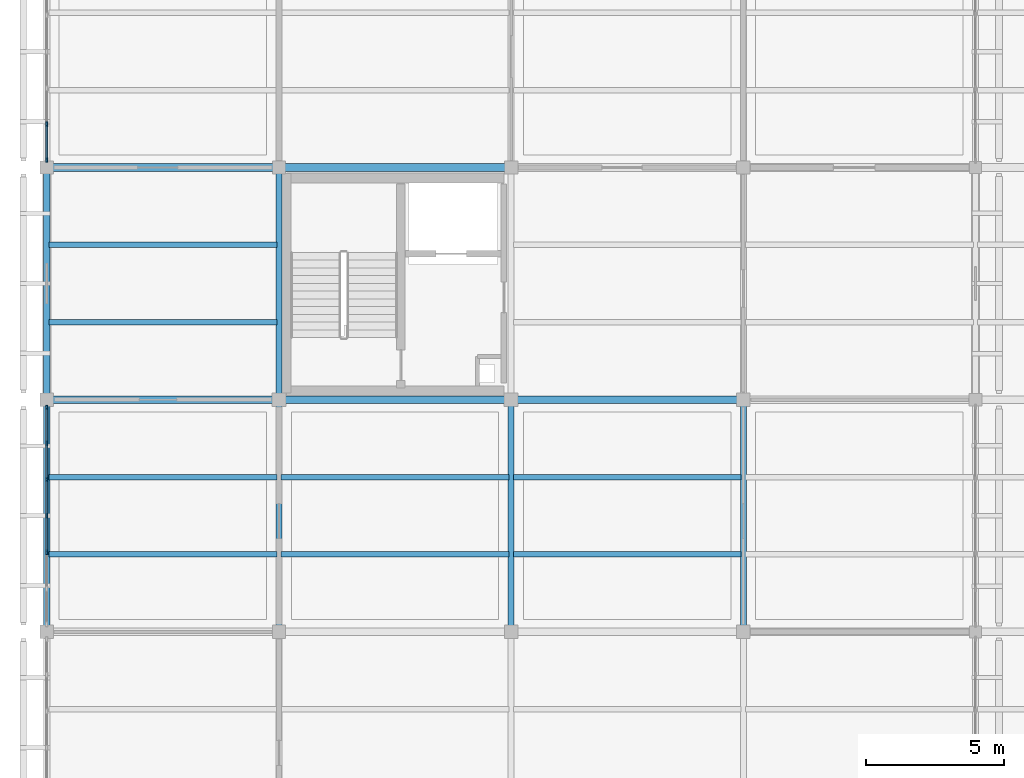
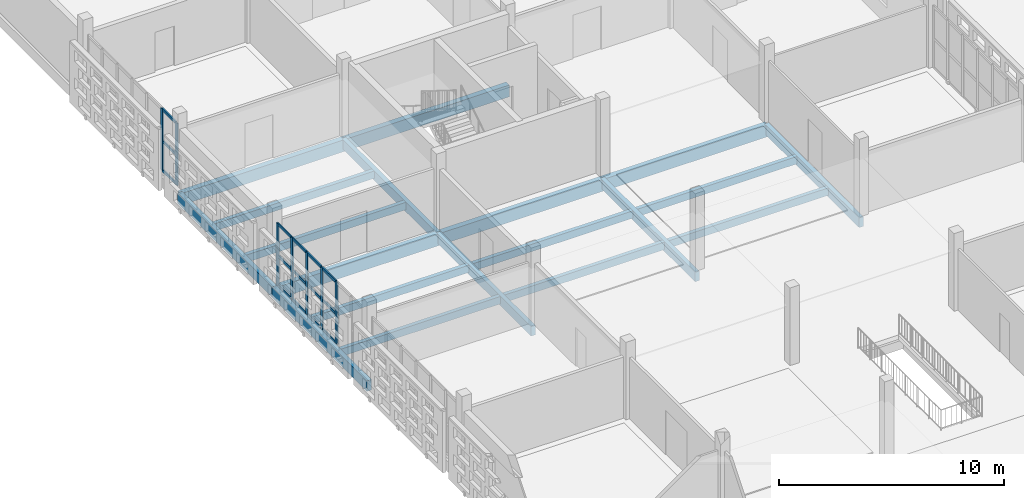
# One storey, part 36 of 166: 22 members, 19 beams, 2 elements without a shape of their own.
"""IFC4 building model written with IfcOpenShell, lengths in metres."""

from ifc_helpers import new_model, si_unit, direction, frame, origin, origin_2d, place, context, subcontext, project, spatial, rectangle, extrude, material, layer, layer_set, material_profile, profile_set, type_object, element, aggregate, save


model = new_model("IFC4")

# Units and contexts
model_context = context("Model", 3, precision=1e-05, world=origin(), true_north=direction((0.0, 1.0)))
body_context = subcontext(model_context, "Body", "Model", "MODEL_VIEW")
ifc_project = project(units=[si_unit("LENGTHUNIT", "METRE"), si_unit("AREAUNIT", "SQUARE_METRE"), si_unit("VOLUMEUNIT", "CUBIC_METRE"), si_unit("PLANEANGLEUNIT", "RADIAN"), si_unit("MASSUNIT", "GRAM", prefix="KILO")], contexts=[model_context])

# Site, building, storey
site_placement = place(None, origin())
site = spatial("IfcSite", under=ifc_project, at=site_placement, CompositionType="ELEMENT")
building_placement = place(site_placement, origin())
building = spatial("IfcBuilding", under=site, at=building_placement, Name="Varnapada Polytechnic", CompositionType="ELEMENT")
storey_placement = place(building_placement, frame((0.0, 0.0, 9.60009765625)))
storey = spatial("IfcBuildingStorey", under=building, at=storey_placement, Name="L02", CompositionType="ELEMENT", Elevation=9.60009765625)

# Beams
ifc_material_1 = material(Name="Glulam GL32h", Category="wood")
ifc_material_profile_1 = material_profile(ifc_material_1, rectangle(XDim=0.280029296875, YDim=0.639892578125, at=origin_2d()), Name="GL 280x640")
ifc_profile_set_1 = profile_set([ifc_material_profile_1], Name="Glulam GL32h")
beam_type_1 = type_object("IfcBeamType", Name="Laboratory primary glulam girder GG-02 (GL 280x640)", PredefinedType="BEAM", material=ifc_profile_set_1)
for number, where, z_axis, x_axis, name in (
    (1, (0.0, 100.800048828125, -0.56005859375), (1.0, 0.0, 0.0), (0.0, 1.0, 0.0), "L02 beam X 1-2 at Y13"),
    (2, (0.0, 109.199951171875, -0.56005859375), (1.0, 0.0, 0.0), (0.0, 1.0, 0.0), "L02 beam X 1-2 at Y14"),
):
    element("IfcBeam", number, at=place(storey_placement, frame(where, z_axis=z_axis, x_axis=x_axis)), inside=storey, type_object=beam_type_1, Name=name, PredefinedType="BEAM", context=body_context, shape_type="SweptSolid", body=[
        extrude(rectangle(XDim=0.280029296875, YDim=0.639892578125, at=origin_2d()), origin(), (0.0, 0.0, 1.0), 8.39990234375),
    ])
for number, where, z_axis, x_axis, name in (
    (3, (8.39990234375, 100.800048828125, -0.56005859375), (1.0, 0.0, 0.0), (0.0, 1.0, 0.0), "L02 beam X 2-3 at Y13"),
    (4, (8.39990234375, 109.199951171875, -0.56005859375), (1.0, 0.0, 0.0), (0.0, 1.0, 0.0), "L02 beam X 2-3 at Y14"),
):
    element("IfcBeam", number, at=place(storey_placement, frame(where, z_axis=z_axis, x_axis=x_axis)), inside=storey, type_object=beam_type_1, Name=name, PredefinedType="BEAM", context=body_context, shape_type="SweptSolid", body=[
        extrude(rectangle(XDim=0.280029296875, YDim=0.639892578125, at=origin_2d()), origin(), (0.0, 0.0, 1.0), 8.400146484375),
    ])
beam_1_placement = place(storey_placement, frame((16.800048828125, 100.800048828125, -0.56005859375), z_axis=(1.0, 0.0, 0.0), x_axis=(0.0, 1.0, 0.0)))
element("IfcBeam", 5, at=beam_1_placement, inside=storey, type_object=beam_type_1, Name="L02 beam X 3-4 at Y13", PredefinedType="BEAM", context=body_context, shape_type="SweptSolid", body=[
    extrude(rectangle(XDim=0.280029296875, YDim=0.639892578125, at=origin_2d()), origin(), (0.0, 0.0, 1.0), 8.39990234375),
])
ifc_material_profile_2 = material_profile(ifc_material_1, rectangle(XDim=0.219970703125, YDim=0.52001953125, at=origin_2d()), Name="GL 220x520")
ifc_profile_set_2 = profile_set([ifc_material_profile_2], Name="Glulam GL32h")
beam_type_2 = type_object("IfcBeamType", Name="Laboratory transverse glulam beam GB-12 (GL 220x520)", PredefinedType="BEAM", material=ifc_profile_set_2)
beam_2_placement = place(storey_placement, frame((8.39990234375, 92.39990234375, -0.5), z_axis=(0.0, 1.0, 0.0), x_axis=(-1.0, 0.0, 0.0)))
element("IfcBeam", 6, at=beam_2_placement, inside=storey, type_object=beam_type_2, Name="L02 beam Y 12-13 at X2", PredefinedType="BEAM", context=body_context, shape_type="SweptSolid", body=[
    extrude(rectangle(XDim=0.219970703125, YDim=0.52001953125, at=origin_2d()), origin(), (0.0, 0.0, 1.0), 8.400146484375),
])
beam_3_placement = place(storey_placement, frame((8.39990234375, 100.800048828125, -0.5), z_axis=(0.0, 1.0, 0.0), x_axis=(-1.0, 0.0, 0.0)))
element("IfcBeam", 7, at=beam_3_placement, inside=storey, type_object=beam_type_2, Name="L02 beam Y 13-14 at X2", PredefinedType="BEAM", context=body_context, shape_type="SweptSolid", body=[
    extrude(rectangle(XDim=0.219970703125, YDim=0.52001953125, at=origin_2d()), origin(), (0.0, 0.0, 1.0), 8.39990234375),
])
for number, where, z_axis, x_axis, name in (
    (8, (16.800048828125, 92.39990234375, -0.5), (0.0, 1.0, 0.0), (-1.0, 0.0, 0.0), "L02 beam Y 12-13 at X3"),
    (9, (25.199951171875, 92.39990234375, -0.5), (0.0, 1.0, 0.0), (-1.0, 0.0, 0.0), "L02 beam Y 12-13 at X4"),
):
    element("IfcBeam", number, at=place(storey_placement, frame(where, z_axis=z_axis, x_axis=x_axis)), inside=storey, type_object=beam_type_2, Name=name, PredefinedType="BEAM", context=body_context, shape_type="SweptSolid", body=[
        extrude(rectangle(XDim=0.219970703125, YDim=0.52001953125, at=origin_2d()), origin(), (0.0, 0.0, 1.0), 8.400146484375),
    ])
ifc_material_profile_3 = material_profile(ifc_material_1, rectangle(XDim=0.199951171875, YDim=0.39990234375, at=origin_2d()), Name="GL 200x400")
ifc_profile_set_3 = profile_set([ifc_material_profile_3], Name="Glulam GL32h")
beam_type_3 = type_object("IfcBeamType", Name="Library/laboratory glulam floor joist GJ-01 (GL 200x400)", PredefinedType="JOIST", material=ifc_profile_set_3)
for number, where, z_axis, x_axis, name in (
    (10, (0.080078125, 95.199951171875, -0.440185546875), (1.0, 0.0, 0.0), (0.0, 1.0, 0.0), "L02 floor joist 1/12.1"),
    (11, (0.080078125, 98.0, -0.440185546875), (1.0, 0.0, 0.0), (0.0, 1.0, 0.0), "L02 floor joist 1/12.2"),
    (12, (0.080078125, 103.60009765625, -0.440185546875), (1.0, 0.0, 0.0), (0.0, 1.0, 0.0), "L02 floor joist 1/13.1"),
    (13, (0.080078125, 106.39990234375, -0.440185546875), (1.0, 0.0, 0.0), (0.0, 1.0, 0.0), "L02 floor joist 1/13.2"),
    (14, (8.47998046875, 95.199951171875, -0.440185546875), (1.0, 0.0, 0.0), (0.0, 1.0, 0.0), "L02 floor joist 2/12.1"),
    (15, (8.47998046875, 98.0, -0.440185546875), (1.0, 0.0, 0.0), (0.0, 1.0, 0.0), "L02 floor joist 2/12.2"),
):
    element("IfcBeam", number, at=place(storey_placement, frame(where, z_axis=z_axis, x_axis=x_axis)), inside=storey, type_object=beam_type_3, Name=name, PredefinedType="JOIST", context=body_context, shape_type="SweptSolid", body=[
        extrude(rectangle(XDim=0.199951171875, YDim=0.39990234375, at=origin_2d()), origin(), (0.0, 0.0, 1.0), 8.239990234375),
    ])
for number, where, z_axis, x_axis, name in (
    (16, (16.8798828125, 95.199951171875, -0.440185546875), (1.0, 0.0, 0.0), (0.0, 1.0, 0.0), "L02 floor joist 3/12.1"),
    (17, (16.8798828125, 98.0, -0.440185546875), (1.0, 0.0, 0.0), (0.0, 1.0, 0.0), "L02 floor joist 3/12.2"),
):
    element("IfcBeam", number, at=place(storey_placement, frame(where, z_axis=z_axis, x_axis=x_axis)), inside=storey, type_object=beam_type_3, Name=name, PredefinedType="JOIST", context=body_context, shape_type="SweptSolid", body=[
        extrude(rectangle(XDim=0.199951171875, YDim=0.39990234375, at=origin_2d()), origin(), (0.0, 0.0, 1.0), 8.240234375),
    ])

# Curtain wall, members
ifc_material_2 = material(Name="Double low-E laminated glass", Category="glass")
ifc_layer = layer(ifc_material_2, 0.179931640625)
ifc_layer_set = layer_set([ifc_layer], Name="Double low-E laminated glass")
curtain_wall_type = type_object("IfcCurtainWallType", Name="Curtain Wall CW-03", PredefinedType="NOTDEFINED", material=ifc_layer_set)
curtain_wall_1_placement = place(storey_placement, origin())
curtain_wall_1 = element("IfcCurtainWall", 18, at=curtain_wall_1_placement, inside=storey, type_object=curtain_wall_type, Name="L02 unitised curtain wall CW-03 (133)", PredefinedType="NOTDEFINED")
ifc_material_3 = material(Name="Anodised aluminium", Category="aluminium")
ifc_material_profile_4 = material_profile(ifc_material_3, rectangle(XDim=0.06494140625, YDim=0.179931640625, at=origin_2d()), Name="ALU M65x180")
ifc_profile_set_4 = profile_set([ifc_material_profile_4], Name="Anodised aluminium")
member_type_1 = type_object("IfcMemberType", Name="Mullion M-02", PredefinedType="MULLION", material=ifc_profile_set_4)
member_1_placement = place(storey_placement, frame((0.0, 95.276611328125, 0.0), z_axis=(0.0, 0.0, 1.0), x_axis=(-1.0, 0.0, 0.0)))
member_1 = element("IfcMember", 19, at=member_1_placement, type_object=member_type_1, Name="CW-03 mullion 3", PredefinedType="MULLION", context=body_context, shape_type="SweptSolid", body=[
    extrude(rectangle(XDim=0.06494140625, YDim=0.179931640625, at=origin_2d()), origin(), (0.0, 0.0, 1.0), 3.35986328125),
])
member_2_placement = place(storey_placement, frame((0.0, 96.594970703125, 0.0), z_axis=(0.0, 0.0, 1.0), x_axis=(-1.0, 0.0, 0.0)))
member_2 = element("IfcMember", 20, at=member_2_placement, type_object=member_type_1, Name="CW-03 mullion 4", PredefinedType="MULLION", context=body_context, shape_type="SweptSolid", body=[
    extrude(rectangle(XDim=0.06494140625, YDim=0.179931640625, at=origin_2d()), origin(), (0.0, 0.0, 1.0), 3.35986328125),
])
member_3_placement = place(storey_placement, frame((0.0, 97.913330078125, 0.0), z_axis=(0.0, 0.0, 1.0), x_axis=(-1.0, 0.0, 0.0)))
member_3 = element("IfcMember", 21, at=member_3_placement, type_object=member_type_1, Name="CW-03 mullion 5", PredefinedType="MULLION", context=body_context, shape_type="SweptSolid", body=[
    extrude(rectangle(XDim=0.06494140625, YDim=0.179931640625, at=origin_2d()), origin(), (0.0, 0.0, 1.0), 3.35986328125),
])
member_4_placement = place(storey_placement, frame((0.0, 99.231689453125, 0.0), z_axis=(0.0, 0.0, 1.0), x_axis=(-1.0, 0.0, 0.0)))
member_4 = element("IfcMember", 22, at=member_4_placement, type_object=member_type_1, Name="CW-03 mullion 6", PredefinedType="MULLION", context=body_context, shape_type="SweptSolid", body=[
    extrude(rectangle(XDim=0.06494140625, YDim=0.179931640625, at=origin_2d()), origin(), (0.0, 0.0, 1.0), 3.35986328125),
])
member_5_placement = place(storey_placement, frame((0.0, 100.517578125, 0.0), z_axis=(0.0, 0.0, 1.0), x_axis=(-1.0, 0.0, 0.0)))
member_5 = element("IfcMember", 23, at=member_5_placement, type_object=member_type_1, Name="CW-03 mullion 7", PredefinedType="MULLION", context=body_context, shape_type="SweptSolid", body=[
    extrude(rectangle(XDim=0.06494140625, YDim=0.179931640625, at=origin_2d()), origin(), (0.0, 0.0, 1.0), 3.35986328125),
])

curtain_wall_2_placement = place(storey_placement, origin())
curtain_wall_2 = element("IfcCurtainWall", 24, at=curtain_wall_2_placement, inside=storey, type_object=curtain_wall_type, Name="L02 unitised curtain wall CW-03 (134)", PredefinedType="NOTDEFINED")
member_6_placement = place(storey_placement, frame((0.0, 109.472412109375, 0.0), z_axis=(0.0, 0.0, 1.0), x_axis=(-1.0, 0.0, 0.0)))
member_6 = element("IfcMember", 25, at=member_6_placement, type_object=member_type_1, Name="CW-03 mullion 1", PredefinedType="MULLION", context=body_context, shape_type="SweptSolid", body=[
    extrude(rectangle(XDim=0.06494140625, YDim=0.179931640625, at=origin_2d()), origin(), (0.0, 0.0, 1.0), 3.35986328125),
])
member_7_placement = place(storey_placement, frame((0.0, 110.75830078125, 0.0), z_axis=(0.0, 0.0, 1.0), x_axis=(-1.0, 0.0, 0.0)))
member_7 = element("IfcMember", 26, at=member_7_placement, type_object=member_type_1, Name="CW-03 mullion 2", PredefinedType="MULLION", context=body_context, shape_type="SweptSolid", body=[
    extrude(rectangle(XDim=0.06494140625, YDim=0.179931640625, at=origin_2d()), origin(), (0.0, 0.0, 1.0), 3.35986328125),
])

# Beams
ifc_material_profile_5 = material_profile(ifc_material_1, rectangle(XDim=0.239990234375, YDim=0.56005859375, at=origin_2d()), Name="GL 240x560")
ifc_profile_set_5 = profile_set([ifc_material_profile_5], Name="Glulam GL32h")
beam_type_4 = type_object("IfcBeamType", Name="Perimeter glulam spandrel beam SP-02 (GL 240x560)", PredefinedType="SPANDREL", material=ifc_profile_set_5)
beam_4_placement = place(storey_placement, frame((0.0, 92.39990234375, -0.52001953125), z_axis=(0.0, 1.0, 0.0), x_axis=(-1.0, 0.0, 0.0)))
element("IfcBeam", 27, at=beam_4_placement, inside=storey, type_object=beam_type_4, Name="L02 beam Y 12-13 at X1", PredefinedType="SPANDREL", context=body_context, shape_type="SweptSolid", body=[
    extrude(rectangle(XDim=0.239990234375, YDim=0.56005859375, at=origin_2d()), origin(), (0.0, 0.0, 1.0), 8.400146484375),
])
beam_5_placement = place(storey_placement, frame((0.0, 100.800048828125, -0.52001953125), z_axis=(0.0, 1.0, 0.0), x_axis=(-1.0, 0.0, 0.0)))
element("IfcBeam", 28, at=beam_5_placement, inside=storey, type_object=beam_type_4, Name="L02 beam Y 13-14 at X1", PredefinedType="SPANDREL", context=body_context, shape_type="SweptSolid", body=[
    extrude(rectangle(XDim=0.239990234375, YDim=0.56005859375, at=origin_2d()), origin(), (0.0, 0.0, 1.0), 8.39990234375),
])

# Member
ifc_material_profile_6 = material_profile(ifc_material_3, rectangle(XDim=0.06494140625, YDim=0.139892578125, at=origin_2d()), Name="ALU T65x140")
ifc_profile_set_6 = profile_set([ifc_material_profile_6], Name="Anodised aluminium")
member_type_2 = type_object("IfcMemberType", Name="Transom T-02", PredefinedType="USERDEFINED", material=ifc_profile_set_6)
member_8_placement = place(storey_placement, frame((0.0, 95.30908203125, 0.032470703125), z_axis=(0.0, 1.0, 0.0), x_axis=(-1.0, 0.0, 0.0)))
member_8 = element("IfcMember", 29, at=member_8_placement, type_object=member_type_2, Name="CW-03 transom 3.1", ObjectType="TRANSOM", PredefinedType="USERDEFINED", context=body_context, shape_type="SweptSolid", body=[
    extrude(rectangle(XDim=0.06494140625, YDim=0.139892578125, at=origin_2d()), origin(), (0.0, 0.0, 1.0), 1.25341796875),
])

member_9_placement = place(storey_placement, frame((0.0, 95.30908203125, 1.61279296875), z_axis=(0.0, 1.0, 0.0), x_axis=(-1.0, 0.0, 0.0)))
member_9 = element("IfcMember", 30, at=member_9_placement, type_object=member_type_2, Name="CW-03 transom 3.2", ObjectType="TRANSOM", PredefinedType="USERDEFINED", context=body_context, shape_type="SweptSolid", body=[
    extrude(rectangle(XDim=0.06494140625, YDim=0.139892578125, at=origin_2d()), origin(), (0.0, 0.0, 1.0), 1.25341796875),
])

member_10_placement = place(storey_placement, frame((0.0, 95.30908203125, 3.327392578125), z_axis=(0.0, 1.0, 0.0), x_axis=(-1.0, 0.0, 0.0)))
member_10 = element("IfcMember", 31, at=member_10_placement, type_object=member_type_2, Name="CW-03 transom 3.3", ObjectType="TRANSOM", PredefinedType="USERDEFINED", context=body_context, shape_type="SweptSolid", body=[
    extrude(rectangle(XDim=0.06494140625, YDim=0.139892578125, at=origin_2d()), origin(), (0.0, 0.0, 1.0), 1.25341796875),
])

member_11_placement = place(storey_placement, frame((0.0, 96.62744140625, 0.032470703125), z_axis=(0.0, 1.0, 0.0), x_axis=(-1.0, 0.0, 0.0)))
member_11 = element("IfcMember", 32, at=member_11_placement, type_object=member_type_2, Name="CW-03 transom 4.1", ObjectType="TRANSOM", PredefinedType="USERDEFINED", context=body_context, shape_type="SweptSolid", body=[
    extrude(rectangle(XDim=0.06494140625, YDim=0.139892578125, at=origin_2d()), origin(), (0.0, 0.0, 1.0), 1.25341796875),
])

member_12_placement = place(storey_placement, frame((0.0, 96.62744140625, 1.61279296875), z_axis=(0.0, 1.0, 0.0), x_axis=(-1.0, 0.0, 0.0)))
member_12 = element("IfcMember", 33, at=member_12_placement, type_object=member_type_2, Name="CW-03 transom 4.2", ObjectType="TRANSOM", PredefinedType="USERDEFINED", context=body_context, shape_type="SweptSolid", body=[
    extrude(rectangle(XDim=0.06494140625, YDim=0.139892578125, at=origin_2d()), origin(), (0.0, 0.0, 1.0), 1.25341796875),
])

member_13_placement = place(storey_placement, frame((0.0, 96.62744140625, 3.327392578125), z_axis=(0.0, 1.0, 0.0), x_axis=(-1.0, 0.0, 0.0)))
member_13 = element("IfcMember", 34, at=member_13_placement, type_object=member_type_2, Name="CW-03 transom 4.3", ObjectType="TRANSOM", PredefinedType="USERDEFINED", context=body_context, shape_type="SweptSolid", body=[
    extrude(rectangle(XDim=0.06494140625, YDim=0.139892578125, at=origin_2d()), origin(), (0.0, 0.0, 1.0), 1.25341796875),
])

member_14_placement = place(storey_placement, frame((0.0, 97.94580078125, 0.032470703125), z_axis=(0.0, 1.0, 0.0), x_axis=(-1.0, 0.0, 0.0)))
member_14 = element("IfcMember", 35, at=member_14_placement, type_object=member_type_2, Name="CW-03 transom 5.1", ObjectType="TRANSOM", PredefinedType="USERDEFINED", context=body_context, shape_type="SweptSolid", body=[
    extrude(rectangle(XDim=0.06494140625, YDim=0.139892578125, at=origin_2d()), origin(), (0.0, 0.0, 1.0), 1.25341796875),
])

member_15_placement = place(storey_placement, frame((0.0, 97.94580078125, 1.61279296875), z_axis=(0.0, 1.0, 0.0), x_axis=(-1.0, 0.0, 0.0)))
member_15 = element("IfcMember", 36, at=member_15_placement, type_object=member_type_2, Name="CW-03 transom 5.2", ObjectType="TRANSOM", PredefinedType="USERDEFINED", context=body_context, shape_type="SweptSolid", body=[
    extrude(rectangle(XDim=0.06494140625, YDim=0.139892578125, at=origin_2d()), origin(), (0.0, 0.0, 1.0), 1.25341796875),
])

member_16_placement = place(storey_placement, frame((0.0, 97.94580078125, 3.327392578125), z_axis=(0.0, 1.0, 0.0), x_axis=(-1.0, 0.0, 0.0)))
member_16 = element("IfcMember", 37, at=member_16_placement, type_object=member_type_2, Name="CW-03 transom 5.3", ObjectType="TRANSOM", PredefinedType="USERDEFINED", context=body_context, shape_type="SweptSolid", body=[
    extrude(rectangle(XDim=0.06494140625, YDim=0.139892578125, at=origin_2d()), origin(), (0.0, 0.0, 1.0), 1.25341796875),
])

member_17_placement = place(storey_placement, frame((0.0, 99.26416015625, 0.032470703125), z_axis=(0.0, 1.0, 0.0), x_axis=(-1.0, 0.0, 0.0)))
member_17 = element("IfcMember", 38, at=member_17_placement, type_object=member_type_2, Name="CW-03 transom 6.1", ObjectType="TRANSOM", PredefinedType="USERDEFINED", context=body_context, shape_type="SweptSolid", body=[
    extrude(rectangle(XDim=0.06494140625, YDim=0.139892578125, at=origin_2d()), origin(), (0.0, 0.0, 1.0), 1.220947265625),
])

member_18_placement = place(storey_placement, frame((0.0, 99.26416015625, 1.61279296875), z_axis=(0.0, 1.0, 0.0), x_axis=(-1.0, 0.0, 0.0)))
member_18 = element("IfcMember", 39, at=member_18_placement, type_object=member_type_2, Name="CW-03 transom 6.2", ObjectType="TRANSOM", PredefinedType="USERDEFINED", context=body_context, shape_type="SweptSolid", body=[
    extrude(rectangle(XDim=0.06494140625, YDim=0.139892578125, at=origin_2d()), origin(), (0.0, 0.0, 1.0), 1.220947265625),
])

member_19_placement = place(storey_placement, frame((0.0, 99.26416015625, 3.327392578125), z_axis=(0.0, 1.0, 0.0), x_axis=(-1.0, 0.0, 0.0)))
member_19 = element("IfcMember", 40, at=member_19_placement, type_object=member_type_2, Name="CW-03 transom 6.3", ObjectType="TRANSOM", PredefinedType="USERDEFINED", context=body_context, shape_type="SweptSolid", body=[
    extrude(rectangle(XDim=0.06494140625, YDim=0.139892578125, at=origin_2d()), origin(), (0.0, 0.0, 1.0), 1.220947265625),
])

aggregate(curtain_wall_1, [member_1, member_2, member_3, member_4, member_5, member_8, member_9, member_10, member_11, member_12, member_13, member_14, member_15, member_16, member_17, member_18, member_19])

member_20_placement = place(storey_placement, frame((0.0, 109.5048828125, 0.032470703125), z_axis=(0.0, 1.0, 0.0), x_axis=(-1.0, 0.0, 0.0)))
member_20 = element("IfcMember", 41, at=member_20_placement, type_object=member_type_2, Name="CW-03 transom 1.1", ObjectType="TRANSOM", PredefinedType="USERDEFINED", context=body_context, shape_type="SweptSolid", body=[
    extrude(rectangle(XDim=0.06494140625, YDim=0.139892578125, at=origin_2d()), origin(), (0.0, 0.0, 1.0), 1.220947265625),
])

member_21_placement = place(storey_placement, frame((0.0, 109.5048828125, 1.61279296875), z_axis=(0.0, 1.0, 0.0), x_axis=(-1.0, 0.0, 0.0)))
member_21 = element("IfcMember", 42, at=member_21_placement, type_object=member_type_2, Name="CW-03 transom 1.2", ObjectType="TRANSOM", PredefinedType="USERDEFINED", context=body_context, shape_type="SweptSolid", body=[
    extrude(rectangle(XDim=0.06494140625, YDim=0.139892578125, at=origin_2d()), origin(), (0.0, 0.0, 1.0), 1.220947265625),
])

member_22_placement = place(storey_placement, frame((0.0, 109.5048828125, 3.327392578125), z_axis=(0.0, 1.0, 0.0), x_axis=(-1.0, 0.0, 0.0)))
member_22 = element("IfcMember", 43, at=member_22_placement, type_object=member_type_2, Name="CW-03 transom 1.3", ObjectType="TRANSOM", PredefinedType="USERDEFINED", context=body_context, shape_type="SweptSolid", body=[
    extrude(rectangle(XDim=0.06494140625, YDim=0.139892578125, at=origin_2d()), origin(), (0.0, 0.0, 1.0), 1.220947265625),
])

aggregate(curtain_wall_2, [member_6, member_7, member_20, member_21, member_22])

save(model, "model.ifc")
